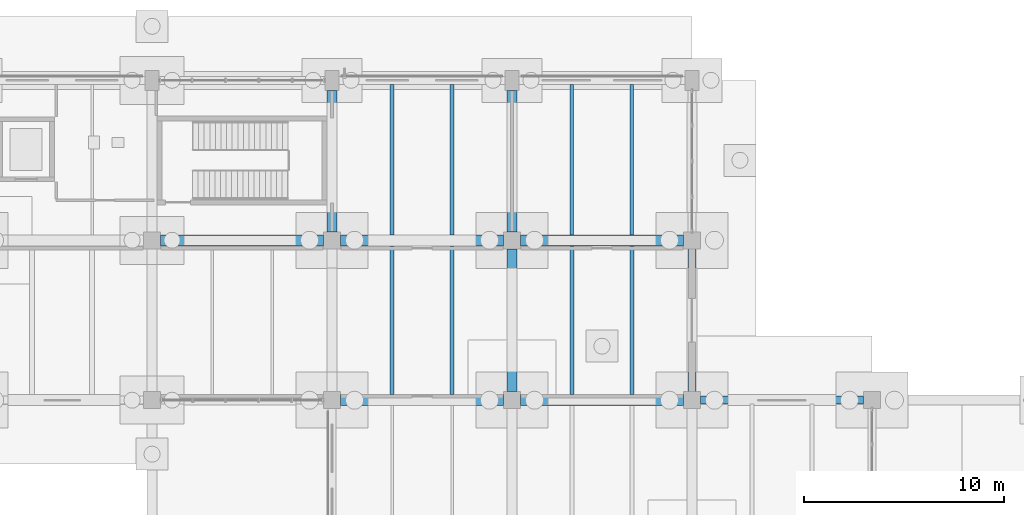
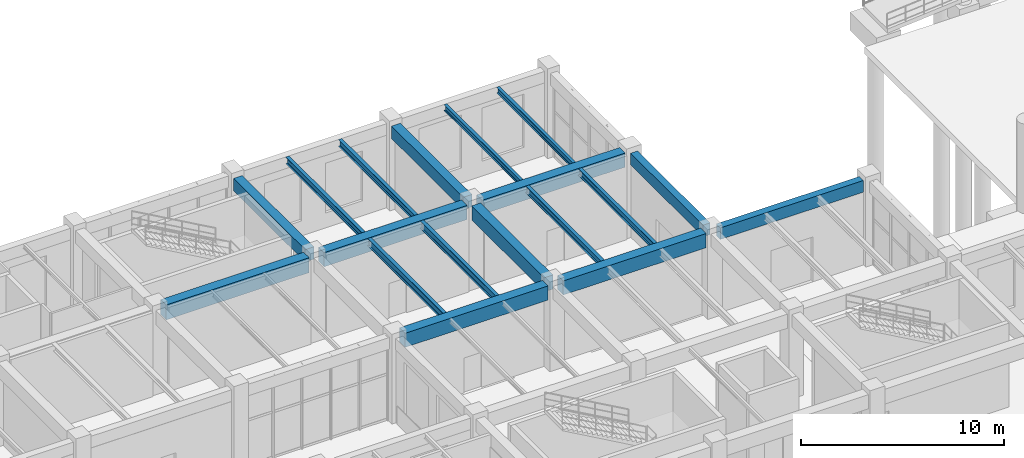
# One storey, part 40 of 121: 18 beams.
"""IFC4 building model written with IfcOpenShell, lengths in metres."""

from ifc_helpers import new_model, si_unit, derived_unit, direction, frame, origin, origin_2d, place, context, subcontext, project, spatial, rectangle, i_section, extrude, material, material_profile, profile_set, type_object, element, save


model = new_model("IFC4")

# Units and contexts
model_context = context("Model", 3, precision=1e-05, world=origin(), true_north=direction((0.0, 1.0)))
body_context = subcontext(model_context, "Body", "Model", "MODEL_VIEW")
ifc_project = project(units=[si_unit("LENGTHUNIT", "METRE"), si_unit("AREAUNIT", "SQUARE_METRE"), si_unit("VOLUMEUNIT", "CUBIC_METRE"), si_unit("PLANEANGLEUNIT", "RADIAN"), si_unit("MASSUNIT", "GRAM", prefix="KILO"), derived_unit("THERMALTRANSMITTANCEUNIT", [(si_unit("MASSUNIT", "GRAM", prefix="KILO"), 1), (si_unit("TIMEUNIT", "SECOND"), -3), (si_unit("THERMODYNAMICTEMPERATUREUNIT", "KELVIN"), -1)])], contexts=[model_context])

# Site, building, storey
site_placement = place(None, origin())
site = spatial("IfcSite", under=ifc_project, at=site_placement, CompositionType="ELEMENT")
building_placement = place(site_placement, origin())
building = spatial("IfcBuilding", under=site, at=building_placement, Name="Zhenchuan Archway Interchange", CompositionType="ELEMENT")
storey_placement = place(building_placement, origin())
storey = spatial("IfcBuildingStorey", under=building, at=storey_placement, Name="L00", CompositionType="ELEMENT", Elevation=0.0)

# Beams
ifc_material_1 = material(Name="Concrete C40", Category="concrete")
ifc_material_profile_1 = material_profile(ifc_material_1, rectangle(XDim=0.5, YDim=0.75, at=origin_2d()), Name="RC 500x750")
ifc_profile_set_1 = profile_set([ifc_material_profile_1], Name="Concrete C40")
beam_type_1 = type_object("IfcBeamType", Name="BM_RC_500x750", PredefinedType="BEAM", material=ifc_profile_set_1)
for number, where, z_axis, x_axis, name in (
    (1, (36.0, 104.425048828125, 4.705078125), (0.0, 1.0, 0.0), (-1.0, 0.0, 0.0), "Beam 5:O-P (L00)"),
    (2, (45.0, 104.425048828125, 4.705078125), (0.0, 1.0, 0.0), (-1.0, 0.0, 0.0), "Beam 6:O-P (L00)"),
):
    element("IfcBeam", number, at=place(storey_placement, frame(where, z_axis=z_axis, x_axis=x_axis)), inside=storey, type_object=beam_type_1, Name=name, PredefinedType="BEAM", context=body_context, shape_type="SweptSolid", body=[
        extrude(rectangle(XDim=0.5, YDim=0.75, at=origin_2d()), origin(), (0.0, 0.0, 1.0), 7.074951171875),
    ])
ifc_material_profile_2 = material_profile(ifc_material_1, rectangle(XDim=0.5, YDim=0.85009765625, at=origin_2d()), Name="RC 500x850")
ifc_profile_set_2 = profile_set([ifc_material_profile_2], Name="Concrete C40")
beam_type_2 = type_object("IfcBeamType", Name="BM_RC_500x850", PredefinedType="BEAM", material=ifc_profile_set_2)
beam_1_placement = place(storey_placement, frame((45.0, 96.425048828125, 4.655029296875), z_axis=(0.0, 1.0, 0.0), x_axis=(-1.0, 0.0, 0.0)))
element("IfcBeam", 3, at=beam_1_placement, inside=storey, type_object=beam_type_2, Name="Beam 6:N-O (L00)", PredefinedType="BEAM", context=body_context, shape_type="SweptSolid", body=[
    extrude(rectangle(XDim=0.5, YDim=0.85009765625, at=origin_2d()), origin(), (0.0, 0.0, 1.0), 7.14990234375),
])
ifc_material_profile_3 = material_profile(ifc_material_1, rectangle(XDim=0.550048828125, YDim=0.85009765625, at=origin_2d()), Name="RC 550x850")
ifc_profile_set_3 = profile_set([ifc_material_profile_3], Name="Concrete C40")
beam_type_3 = type_object("IfcBeamType", Name="BM_RC_550x850", PredefinedType="BEAM", material=ifc_profile_set_3)
for number, where, z_axis, x_axis, name in (
    (4, (36.425048828125, 96.0, 4.655029296875), (1.0, 0.0, 0.0), (0.0, 1.0, 0.0), "Beam N:5-6 (L00)"),
    (5, (45.425048828125, 96.0, 4.655029296875), (1.0, 0.0, 0.0), (0.0, 1.0, 0.0), "Beam N:6-7 (L00)"),
    (6, (36.425048828125, 104.0, 4.655029296875), (1.0, 0.0, 0.0), (0.0, 1.0, 0.0), "Beam O:5-6 (L00)"),
    (7, (45.425048828125, 104.0, 4.655029296875), (1.0, 0.0, 0.0), (0.0, 1.0, 0.0), "Beam O:6-7 (L00)"),
):
    element("IfcBeam", number, at=place(storey_placement, frame(where, z_axis=z_axis, x_axis=x_axis)), inside=storey, type_object=beam_type_3, Name=name, PredefinedType="BEAM", context=body_context, shape_type="SweptSolid", body=[
        extrude(rectangle(XDim=0.550048828125, YDim=0.85009765625, at=origin_2d()), origin(), (0.0, 0.0, 1.0), 8.14990234375),
    ])
ifc_material_profile_4 = material_profile(ifc_material_1, rectangle(XDim=0.550048828125, YDim=0.89990234375, at=origin_2d()), Name="RC 550x900")
ifc_profile_set_4 = profile_set([ifc_material_profile_4], Name="Concrete C40")
beam_type_4 = type_object("IfcBeamType", Name="BM_RC_550x900", PredefinedType="BEAM", material=ifc_profile_set_4)
beam_2_placement = place(storey_placement, frame((27.425048828125, 104.0, 4.6298828125), z_axis=(1.0, 0.0, 0.0), x_axis=(0.0, 1.0, 0.0)))
element("IfcBeam", 8, at=beam_2_placement, inside=storey, type_object=beam_type_4, Name="Beam O:4-5 (L00)", PredefinedType="BEAM", context=body_context, shape_type="SweptSolid", body=[
    extrude(rectangle(XDim=0.550048828125, YDim=0.89990234375, at=origin_2d()), origin(), (0.0, 0.0, 1.0), 8.14990234375),
])
ifc_material_2 = material(Name="Steel Q355", Category="steel")
ifc_material_profile_5 = material_profile(ifc_material_2, i_section(OverallWidth=0.175048828125, OverallDepth=0.35009765625, WebThickness=0.007080078125, FlangeThickness=0.010986328125, FilletRadius=0.013916015625, at=origin_2d()), Name="HN 350x175")
ifc_profile_set_5 = profile_set([ifc_material_profile_5], Name="Steel Q355")
beam_type_5 = type_object("IfcBeamType", Name="JST_STL_HN350", PredefinedType="JOIST", material=ifc_profile_set_5)
for number, where, z_axis, x_axis, name in (
    (9, (48.0, 104.27490234375, 4.905029296875), (0.0, 1.0, 0.0), (-1.0, 0.0, 0.0), "Secondary joist 6-7/O-P #1 (L00)"),
    (10, (51.0, 104.27490234375, 4.905029296875), (0.0, 1.0, 0.0), (-1.0, 0.0, 0.0), "Secondary joist 6-7/O-P #2 (L00)"),
):
    element("IfcBeam", number, at=place(storey_placement, frame(where, z_axis=z_axis, x_axis=x_axis)), inside=storey, type_object=beam_type_5, Name=name, PredefinedType="JOIST", context=body_context, shape_type="SweptSolid", body=[
        extrude(i_section(OverallWidth=0.175048828125, OverallDepth=0.35009765625, WebThickness=0.007080078125, FlangeThickness=0.010986328125, FilletRadius=0.013916015625, at=origin_2d()), origin(), (0.0, 0.0, 1.0), 7.525146484375),
    ])
ifc_material_profile_6 = material_profile(ifc_material_2, i_section(OverallWidth=0.199951171875, OverallDepth=0.39990234375, WebThickness=0.008056640625, FlangeThickness=0.012939453125, FilletRadius=0.01611328125, at=origin_2d()), Name="HN 400x200")
ifc_profile_set_6 = profile_set([ifc_material_profile_6], Name="Steel Q355")
beam_type_6 = type_object("IfcBeamType", Name="JST_STL_HN400", PredefinedType="JOIST", material=ifc_profile_set_6)
for number, where, z_axis, x_axis, name in (
    (11, (39.0, 104.27490234375, 4.8798828125), (0.0, 1.0, 0.0), (-1.0, 0.0, 0.0), "Secondary joist 5-6/O-P #1 (L00)"),
    (12, (42.0, 104.27490234375, 4.8798828125), (0.0, 1.0, 0.0), (-1.0, 0.0, 0.0), "Secondary joist 5-6/O-P #2 (L00)"),
):
    element("IfcBeam", number, at=place(storey_placement, frame(where, z_axis=z_axis, x_axis=x_axis)), inside=storey, type_object=beam_type_6, Name=name, PredefinedType="JOIST", context=body_context, shape_type="SweptSolid", body=[
        extrude(i_section(OverallWidth=0.199951171875, OverallDepth=0.39990234375, WebThickness=0.008056640625, FlangeThickness=0.012939453125, FilletRadius=0.01611328125, at=origin_2d()), origin(), (0.0, 0.0, 1.0), 7.525146484375),
    ])
for number, where, z_axis, x_axis, name in (
    (13, (48.0, 96.27490234375, 4.8798828125), (0.0, 1.0, 0.0), (-1.0, 0.0, 0.0), "Secondary joist 6-7/N-O #1 (L00)"),
    (14, (51.0, 96.27490234375, 4.8798828125), (0.0, 1.0, 0.0), (-1.0, 0.0, 0.0), "Secondary joist 6-7/N-O #2 (L00)"),
):
    element("IfcBeam", number, at=place(storey_placement, frame(where, z_axis=z_axis, x_axis=x_axis)), inside=storey, type_object=beam_type_6, Name=name, PredefinedType="JOIST", context=body_context, shape_type="SweptSolid", body=[
        extrude(i_section(OverallWidth=0.199951171875, OverallDepth=0.39990234375, WebThickness=0.008056640625, FlangeThickness=0.012939453125, FilletRadius=0.01611328125, at=origin_2d()), origin(), (0.0, 0.0, 1.0), 7.4501953125),
    ])
ifc_material_profile_7 = material_profile(ifc_material_2, i_section(OverallWidth=0.199951171875, OverallDepth=0.449951171875, WebThickness=0.009033203125, FlangeThickness=0.013916015625, FilletRadius=0.01806640625, at=origin_2d()), Name="HN 450x200")
ifc_profile_set_7 = profile_set([ifc_material_profile_7], Name="Steel Q355")
beam_type_7 = type_object("IfcBeamType", Name="JST_STL_HN450", PredefinedType="JOIST", material=ifc_profile_set_7)
for number, where, z_axis, x_axis, name in (
    (15, (39.0, 96.27490234375, 4.85498046875), (0.0, 1.0, 0.0), (-1.0, 0.0, 0.0), "Secondary joist 5-6/N-O #1 (L00)"),
    (16, (42.0, 96.27490234375, 4.85498046875), (0.0, 1.0, 0.0), (-1.0, 0.0, 0.0), "Secondary joist 5-6/N-O #2 (L00)"),
):
    element("IfcBeam", number, at=place(storey_placement, frame(where, z_axis=z_axis, x_axis=x_axis)), inside=storey, type_object=beam_type_7, Name=name, PredefinedType="JOIST", context=body_context, shape_type="SweptSolid", body=[
        extrude(i_section(OverallWidth=0.199951171875, OverallDepth=0.449951171875, WebThickness=0.009033203125, FlangeThickness=0.013916015625, FilletRadius=0.01806640625, at=origin_2d()), origin(), (0.0, 0.0, 1.0), 7.4501953125),
    ])
ifc_material_profile_8 = material_profile(ifc_material_1, rectangle(XDim=0.39990234375, YDim=0.699951171875, at=origin_2d()), Name="RC 400x700")
ifc_profile_set_8 = profile_set([ifc_material_profile_8], Name="Concrete C40")
beam_type_8 = type_object("IfcBeamType", Name="SP_RC_400x700", PredefinedType="SPANDREL", material=ifc_profile_set_8)
beam_3_placement = place(storey_placement, frame((54.425048828125, 96.0, 4.72998046875), z_axis=(1.0, 0.0, 0.0), x_axis=(0.0, 1.0, 0.0)))
element("IfcBeam", 17, at=beam_3_placement, inside=storey, type_object=beam_type_8, Name="Beam N:7-8 (L00)", PredefinedType="SPANDREL", context=body_context, shape_type="SweptSolid", body=[
    extrude(rectangle(XDim=0.39990234375, YDim=0.699951171875, at=origin_2d()), origin(), (0.0, 0.0, 1.0), 8.14990234375),
])
beam_4_placement = place(storey_placement, frame((54.0, 96.425048828125, 4.72998046875), z_axis=(0.0, 1.0, 0.0), x_axis=(-1.0, 0.0, 0.0)))
element("IfcBeam", 18, at=beam_4_placement, inside=storey, type_object=beam_type_8, Name="Beam 7:N-O (L00)", PredefinedType="SPANDREL", context=body_context, shape_type="SweptSolid", body=[
    extrude(rectangle(XDim=0.39990234375, YDim=0.699951171875, at=origin_2d()), origin(), (0.0, 0.0, 1.0), 7.14990234375),
])

save(model, "model.ifc")
